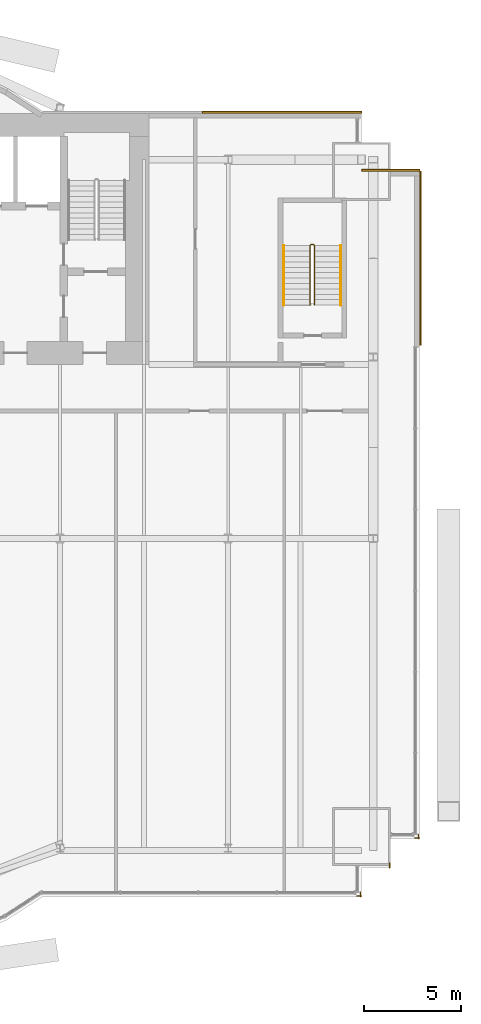
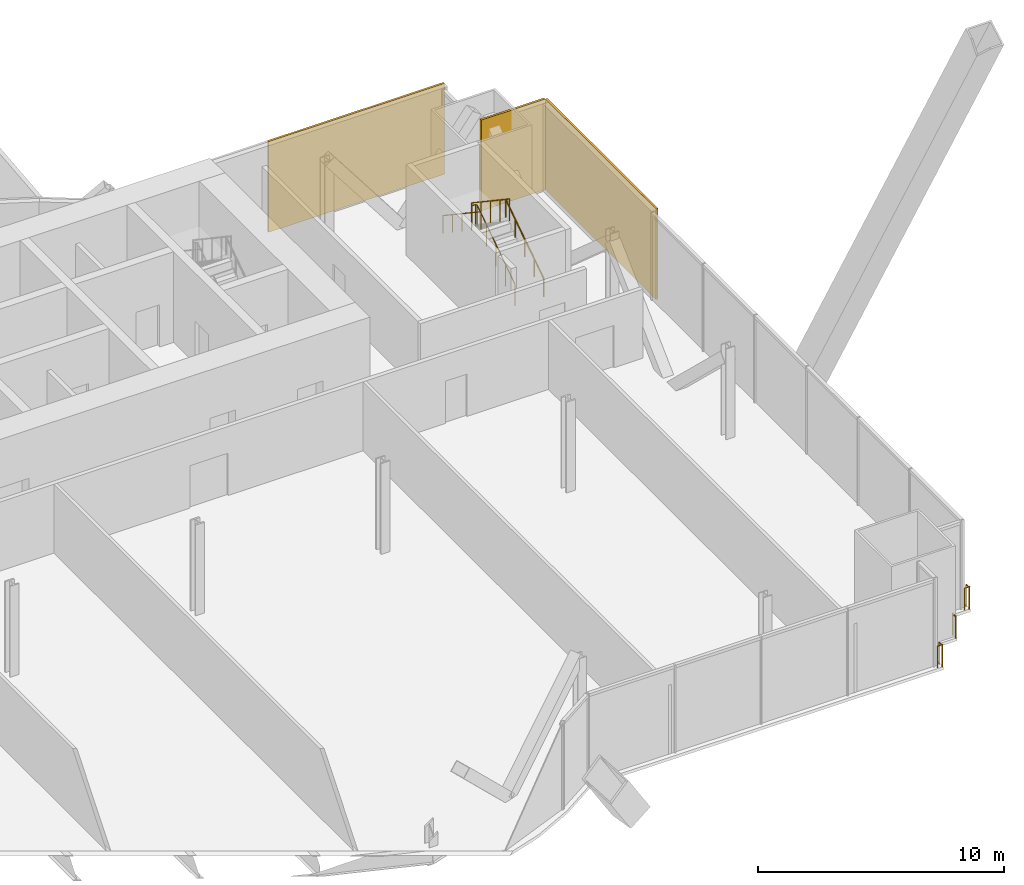
# One storey, part 23 of 23: 6 railings, 3 coverings.
"""IFC4 building model written with IfcOpenShell, lengths in metres."""

from ifc_helpers import new_model, si_unit, direction, frame, origin, origin_2d, place, context, subcontext, project, spatial, rectangle, circle, extrude, material, layer, layer_set, type_object, element, save


model = new_model("IFC4")

# Units and contexts
model_context = context("Model", 3, precision=1e-05, world=origin(), true_north=direction((0.0, 1.0)))
body_context = subcontext(model_context, "Body", "Model", "MODEL_VIEW")
ifc_project = project(units=[si_unit("LENGTHUNIT", "METRE"), si_unit("AREAUNIT", "SQUARE_METRE"), si_unit("VOLUMEUNIT", "CUBIC_METRE"), si_unit("PLANEANGLEUNIT", "RADIAN"), si_unit("MASSUNIT", "GRAM", prefix="KILO")], contexts=[model_context])

# Site, building, storey
site_placement = place(None, origin())
site = spatial("IfcSite", under=ifc_project, at=site_placement, CompositionType="ELEMENT")
building_placement = place(site_placement, origin())
building = spatial("IfcBuilding", under=site, at=building_placement, Name="Bicima Exchange Tower", CompositionType="ELEMENT")
storey_placement = place(building_placement, frame((0.0, 0.0, 62.0)))
storey = spatial("IfcBuildingStorey", under=building, at=storey_placement, Name="L12", CompositionType="ELEMENT", Elevation=62.0)

# Coverings
ifc_material_1 = material(Name="Bronze metal cladding")
ifc_layer_1 = layer(ifc_material_1, 0.004)
ifc_material_2 = material(Name="Ventilated cavity")
ifc_layer_2 = layer(ifc_material_2, 0.06)
ifc_material_3 = material(Name="Galvanised steel rail and mineral wool", Category="steel")
ifc_layer_3 = layer(ifc_material_3, 0.036)
ifc_layer_set = layer_set([ifc_layer_1, ifc_layer_2, ifc_layer_3], Name="Ventilated cavity")
covering_type = type_object("IfcCoveringType", Name="Bronze metal cladding panel 100", PredefinedType="CLADDING", material=ifc_layer_set)
covering_1_placement = place(storey_placement, frame((28.875, 0.050048828125, -0.14990234375), z_axis=(0.0, 0.0, 1.0), x_axis=(-1.0, 0.0, 0.0)))
element("IfcCovering", 1, at=covering_1_placement, inside=storey, type_object=covering_type, Name="Bronze cladding L12 1.1", PredefinedType="CLADDING", context=body_context, shape_type="SweptSolid", body=[
    extrude(rectangle(XDim=8.25, YDim=0.10009765625, at=origin_2d()), origin(), (0.0, 0.0, 1.0), 4.5),
])
covering_2_placement = place(storey_placement, frame((36.050048828125, -7.5, -0.14990234375), z_axis=(0.0, 0.0, 1.0), x_axis=(0.0, 1.0, 0.0)))
element("IfcCovering", 2, at=covering_2_placement, inside=storey, type_object=covering_type, Name="Bronze cladding L12 50.1", PredefinedType="CLADDING", context=body_context, shape_type="SweptSolid", body=[
    extrude(rectangle(XDim=9.0, YDim=0.10009765625, at=origin_2d()), origin(), (0.0, 0.0, 1.0), 4.5),
])
covering_3_placement = place(storey_placement, frame((34.5, -2.949951171875, -0.14990234375), z_axis=(0.0, 0.0, 1.0), x_axis=(-1.0, 0.0, 0.0)))
element("IfcCovering", 3, at=covering_3_placement, inside=storey, type_object=covering_type, Name="Bronze cladding L12 51.1", PredefinedType="CLADDING", context=body_context, shape_type="SweptSolid", body=[
    extrude(rectangle(XDim=3.0, YDim=0.10009765625, at=origin_2d()), origin(), (0.0, 0.0, 1.0), 4.5),
])

# Railings
ifc_material_4 = material(Name="Stainless steel and bonded safety glass", Category="steel")
railing_type_1 = type_object("IfcRailingType", Name="Edge guard 1100", PredefinedType="GUARDRAIL", material=ifc_material_4)
railing_1_placement = place(storey_placement, frame((35.949951171875, -37.2880859375, 0.0)))
element("IfcRailing", 4, at=railing_1_placement, inside=storey, type_object=railing_type_1, Name="Edge guard L12 52", PredefinedType="GUARDRAIL", context=body_context, shape_type="SweptSolid", body=[
    extrude(circle(Radius=0.02392578125, at=origin_2d()), frame((0.0, 0.0, 1.076171875), z_axis=(0.0, -1.0, 0.0), x_axis=(1.0, 0.0, 0.0)), (0.0, 0.0, 1.0), 0.247802734375),
    extrude(circle(Radius=0.02392578125, at=origin_2d()), frame((0.0, -0.247802734375, 1.076171875), z_axis=(0.708833529934, 0.705375805398, 0.0), x_axis=(-0.705375805398, 0.708833529934, 0.0)), (0.0, 0.0, 1.0), 0.070556640625),
    extrude(circle(Radius=0.02392578125, at=origin_2d()), frame((0.050048828125, -0.197998046875, 1.076171875), z_axis=(-1.0, 0.0, 0.0), x_axis=(0.0, -1.0, 0.0)), (0.0, 0.0, 1.0), 0.25),
    extrude(circle(Radius=0.02099609375, at=origin_2d()), origin(), (0.0, 0.0, 1.0), 1.052001953125),
    extrude(circle(Radius=0.02099609375, at=origin_2d()), frame((0.0, -0.247802734375, 0.0)), (0.0, 0.0, 1.0), 1.052001953125),
    extrude(circle(Radius=0.02099609375, at=origin_2d()), frame((0.050048828125, -0.197998046875, 0.0)), (0.0, 0.0, 1.0), 1.052001953125),
    extrude(circle(Radius=0.02099609375, at=origin_2d()), frame((-0.199951171875, -0.197998046875, 0.0)), (0.0, 0.0, 1.0), 1.052001953125),
])
railing_2_placement = place(storey_placement, frame((34.449951171875, -38.785888671875, 0.0)))
element("IfcRailing", 5, at=railing_2_placement, inside=storey, type_object=railing_type_1, Name="Edge guard L12 53", PredefinedType="GUARDRAIL", context=body_context, shape_type="SweptSolid", body=[
    extrude(circle(Radius=0.02392578125, at=origin_2d()), frame((0.0, 0.0, 1.076171875), z_axis=(0.0, -1.0, 0.0), x_axis=(1.0, 0.0, 0.0)), (0.0, 0.0, 1.0), 0.25),
    extrude(circle(Radius=0.02099609375, at=origin_2d()), origin(), (0.0, 0.0, 1.0), 1.052001953125),
    extrude(circle(Radius=0.02099609375, at=origin_2d()), frame((0.0, -0.25, 0.0)), (0.0, 0.0, 1.0), 1.052001953125),
])
railing_3_placement = place(storey_placement, frame((32.949951171875, -40.285888671875, 0.0)))
element("IfcRailing", 6, at=railing_3_placement, inside=storey, type_object=railing_type_1, Name="Edge guard L12 54", PredefinedType="GUARDRAIL", context=body_context, shape_type="SweptSolid", body=[
    extrude(circle(Radius=0.02392578125, at=origin_2d()), frame((0.0, 0.0, 1.076171875), z_axis=(0.0, -1.0, 0.0), x_axis=(1.0, 0.0, 0.0)), (0.0, 0.0, 1.0), 0.25),
    extrude(circle(Radius=0.02392578125, at=origin_2d()), frame((0.0, -0.25, 1.076171875), z_axis=(0.708833529934, 0.705375805398, 0.0), x_axis=(-0.705375805398, 0.708833529934, 0.0)), (0.0, 0.0, 1.0), 0.070556640625),
    extrude(circle(Radius=0.02392578125, at=origin_2d()), frame((0.050048828125, -0.2001953125, 1.076171875), z_axis=(-1.0, 0.0, 0.0), x_axis=(0.0, -1.0, 0.0)), (0.0, 0.0, 1.0), 0.25),
    extrude(circle(Radius=0.02099609375, at=origin_2d()), origin(), (0.0, 0.0, 1.0), 1.052001953125),
    extrude(circle(Radius=0.02099609375, at=origin_2d()), frame((0.0, -0.25, 0.0)), (0.0, 0.0, 1.0), 1.052001953125),
    extrude(circle(Radius=0.02099609375, at=origin_2d()), frame((0.050048828125, -0.2001953125, 0.0)), (0.0, 0.0, 1.0), 1.052001953125),
    extrude(circle(Radius=0.02099609375, at=origin_2d()), frame((-0.199951171875, -0.2001953125, 0.0)), (0.0, 0.0, 1.0), 1.052001953125),
])
ifc_material_5 = material(Name="Stainless steel", Category="steel")
railing_type_2 = type_object("IfcRailingType", Name="Stair guard 1100", PredefinedType="GUARDRAIL", material=ifc_material_5)
railing_4_placement = place(storey_placement, frame((30.574951171875, -9.925048828125, 0.1875)))
element("IfcRailing", 7, at=railing_4_placement, inside=storey, type_object=railing_type_2, Name="L12 ST-EE stair guard 1", PredefinedType="GUARDRAIL", context=body_context, shape_type="SweptSolid", body=[
    extrude(circle(Radius=0.02392578125, at=origin_2d()), frame((0.0, 0.0, 1.076171875), z_axis=(0.0, 0.830913701846, 0.55640131208), x_axis=(-1.0, 0.0, 0.0)), (0.0, 0.0, 1.0), 3.706787109375),
    extrude(circle(Radius=0.02392578125, at=origin_2d()), frame((0.0, 3.080078125, 3.138671875), z_axis=(-0.707106781187, 0.707106781187, 0.0), x_axis=(-0.707106781187, -0.707106781187, 0.0)), (0.0, 0.0, 1.0), 0.07080078125),
    extrude(circle(Radius=0.02392578125, at=origin_2d()), frame((-0.050048828125, 3.130126953125, 3.138671875), z_axis=(-1.0, 0.0, 0.0), x_axis=(0.0, -1.0, 0.0)), (0.0, 0.0, 1.0), 0.14990234375),
    extrude(circle(Radius=0.02392578125, at=origin_2d()), frame((-0.199951171875, 3.130126953125, 3.138671875), z_axis=(-0.249726431254, -0.249726431254, 0.935560483917), x_axis=(0.707106781187, -0.707106781187, 0.0)), (0.0, 0.0, 1.0), 0.200439453125),
    extrude(circle(Radius=0.02392578125, at=origin_2d()), frame((-0.25, 3.080078125, 3.326171875), z_axis=(0.0, -0.830913701846, 0.55640131208), x_axis=(1.0, 0.0, 0.0)), (0.0, 0.0, 1.0), 3.706787109375),
    extrude(circle(Radius=0.02099609375, at=origin_2d()), origin(), (0.0, 0.0, 1.0), 1.052001953125),
    extrude(circle(Radius=0.02099609375, at=origin_2d()), frame((0.0, 0.77001953125, 0.515625)), (0.0, 0.0, 1.0), 1.052001953125),
    extrude(circle(Radius=0.02099609375, at=origin_2d()), frame((0.0, 1.5400390625, 1.03125)), (0.0, 0.0, 1.0), 1.052001953125),
    extrude(circle(Radius=0.02099609375, at=origin_2d()), frame((0.0, 2.31005859375, 1.546875)), (0.0, 0.0, 1.0), 1.052001953125),
    extrude(circle(Radius=0.02099609375, at=origin_2d()), frame((0.0, 3.080078125, 2.0625)), (0.0, 0.0, 1.0), 1.052001953125),
    extrude(circle(Radius=0.02099609375, at=origin_2d()), frame((-0.050048828125, 3.130126953125, 2.0625)), (0.0, 0.0, 1.0), 1.052001953125),
    extrude(circle(Radius=0.02099609375, at=origin_2d()), frame((-0.199951171875, 3.130126953125, 2.0625)), (0.0, 0.0, 1.0), 1.052001953125),
    extrude(circle(Radius=0.02099609375, at=origin_2d()), frame((-0.25, 3.080078125, 2.25)), (0.0, 0.0, 1.0), 1.052001953125),
    extrude(circle(Radius=0.02099609375, at=origin_2d()), frame((-0.25, 2.31005859375, 2.765625)), (0.0, 0.0, 1.0), 1.052001953125),
    extrude(circle(Radius=0.02099609375, at=origin_2d()), frame((-0.25, 1.5400390625, 3.28125)), (0.0, 0.0, 1.0), 1.052001953125),
    extrude(circle(Radius=0.02099609375, at=origin_2d()), frame((-0.25, 0.77001953125, 3.796875)), (0.0, 0.0, 1.0), 1.052001953125),
    extrude(circle(Radius=0.02099609375, at=origin_2d()), frame((-0.25, 0.0, 4.3125)), (0.0, 0.0, 1.0), 1.052001953125),
])
railing_type_3 = type_object("IfcRailingType", Name="Stair handrail 900", PredefinedType="HANDRAIL", material=ifc_material_5)
railing_5_placement = place(storey_placement, frame((31.925048828125, -9.925048828125, 0.1875)))
element("IfcRailing", 8, at=railing_5_placement, inside=storey, type_object=railing_type_3, Name="L12 ST-EE stair handrail 1", PredefinedType="HANDRAIL", context=body_context, shape_type="SweptSolid", body=[
    extrude(circle(Radius=0.02392578125, at=origin_2d()), frame((0.0, 0.0, 0.8759765625), z_axis=(0.0, 0.830913701846, 0.55640131208), x_axis=(-1.0, 0.0, 0.0)), (0.0, 0.0, 1.0), 3.706787109375),
    extrude(circle(Radius=0.02099609375, at=origin_2d()), origin(), (0.0, 0.0, 1.0), 0.851806640625),
    extrude(circle(Radius=0.02099609375, at=origin_2d()), frame((0.0, 0.77001953125, 0.515625)), (0.0, 0.0, 1.0), 0.851806640625),
    extrude(circle(Radius=0.02099609375, at=origin_2d()), frame((0.0, 1.5400390625, 1.03125)), (0.0, 0.0, 1.0), 0.851806640625),
    extrude(circle(Radius=0.02099609375, at=origin_2d()), frame((0.0, 2.31005859375, 1.546875)), (0.0, 0.0, 1.0), 0.851806640625),
    extrude(circle(Radius=0.02099609375, at=origin_2d()), frame((0.0, 3.080078125, 2.0625)), (0.0, 0.0, 1.0), 0.851806640625),
])
railing_6_placement = place(storey_placement, frame((28.97509765625, -6.844970703125, 2.47900390625)))
element("IfcRailing", 9, at=railing_6_placement, inside=storey, type_object=railing_type_3, Name="L12 ST-EE stair handrail 2", PredefinedType="HANDRAIL", context=body_context, shape_type="SweptSolid", body=[
    extrude(circle(Radius=0.02392578125, at=origin_2d()), frame((0.0, 0.0, 0.8759765625), z_axis=(0.0, -0.830913701846, 0.55640131208), x_axis=(1.0, 0.0, 0.0)), (0.0, 0.0, 1.0), 3.706787109375),
    extrude(circle(Radius=0.02099609375, at=origin_2d()), origin(), (0.0, 0.0, 1.0), 0.851806640625),
    extrude(circle(Radius=0.02099609375, at=origin_2d()), frame((0.0, -0.77001953125, 0.515625)), (0.0, 0.0, 1.0), 0.851806640625),
    extrude(circle(Radius=0.02099609375, at=origin_2d()), frame((0.0, -1.5400390625, 1.03125)), (0.0, 0.0, 1.0), 0.851806640625),
    extrude(circle(Radius=0.02099609375, at=origin_2d()), frame((0.0, -2.31005859375, 1.546875)), (0.0, 0.0, 1.0), 0.851806640625),
    extrude(circle(Radius=0.02099609375, at=origin_2d()), frame((0.0, -3.080078125, 2.0625)), (0.0, 0.0, 1.0), 0.851806640625),
])

save(model, "model.ifc")
